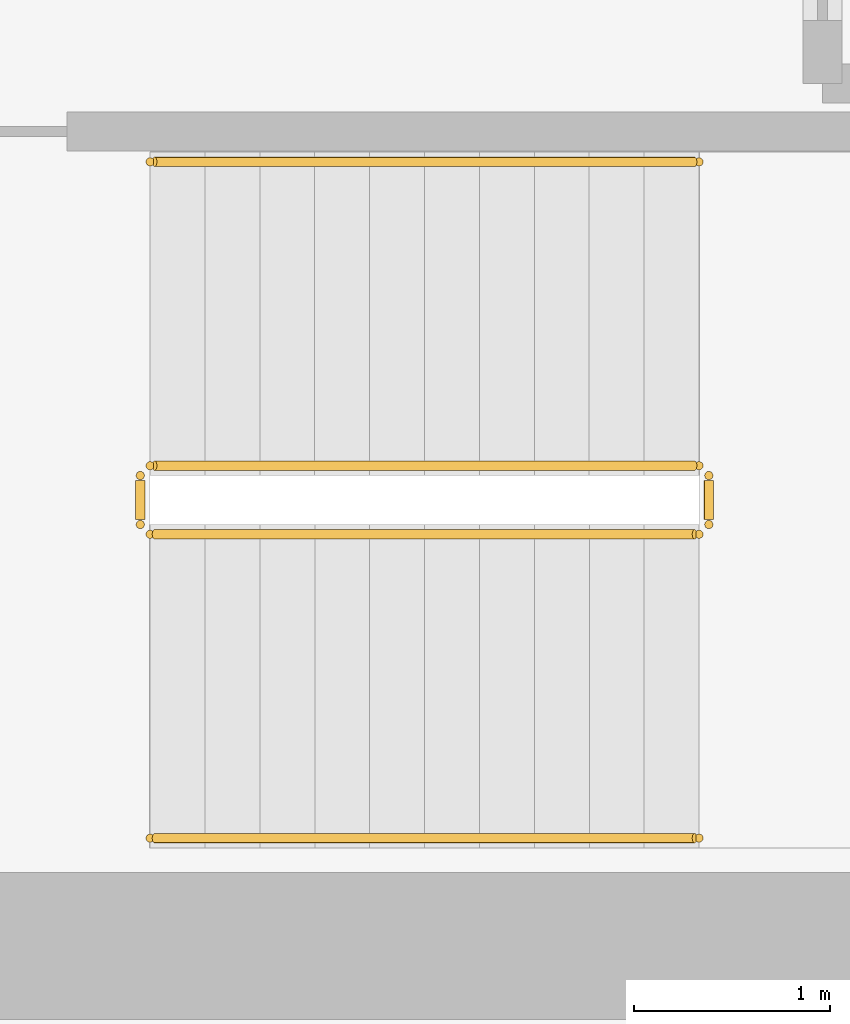
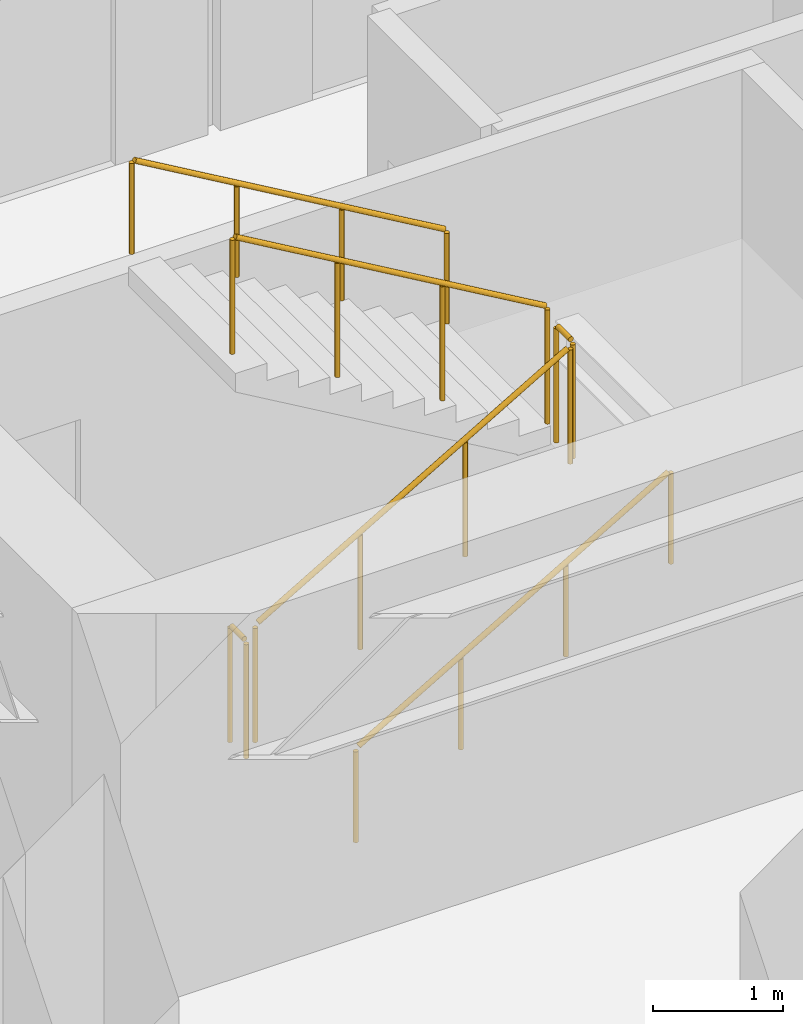
# One storey, part 12 of 13: 6 railings.
"""IFC4 building model written with IfcOpenShell, lengths in metres."""

from ifc_helpers import new_model, si_unit, direction, frame, origin, origin_2d, place, context, subcontext, project, spatial, circle, extrude, source, transform, mapped, material, layer, layer_set, type_object, element, save


model = new_model("IFC4")

# Units and contexts
model_context = context("Model", 3, precision=1e-05, world=origin(), true_north=direction((0.0, 1.0)))
body_context = subcontext(model_context, "Body", "Model", "MODEL_VIEW")
ifc_project = project(units=[si_unit("LENGTHUNIT", "METRE"), si_unit("AREAUNIT", "SQUARE_METRE"), si_unit("VOLUMEUNIT", "CUBIC_METRE"), si_unit("PLANEANGLEUNIT", "RADIAN"), si_unit("MASSUNIT", "GRAM", prefix="KILO")], contexts=[model_context])

# Site, building, storey
site_placement = place(None, origin())
site = spatial("IfcSite", under=ifc_project, at=site_placement, CompositionType="ELEMENT")
building_placement = place(site_placement, origin())
building = spatial("IfcBuilding", under=site, at=building_placement, Name="Kharzan Plaza Tower", CompositionType="ELEMENT")
storey_placement = place(building_placement, frame((0.0, 0.0, 77.39990234375)))
storey = spatial("IfcBuildingStorey", under=building, at=storey_placement, Name="L20", CompositionType="ELEMENT", Elevation=77.39990234375)

# Railings
ifc_material_1 = material(Name="Painted Galvanized Architectural Steel", Category="steel")
ifc_layer_1 = layer(ifc_material_1, 0.074951171875)
ifc_layer_set_1 = layer_set([ifc_layer_1], Name="Painted Galvanized Architectural Steel")
railing_type_1 = type_object("IfcRailingType", Name="RL-GUARD-1120", PredefinedType="BALUSTRADE", material=ifc_layer_set_1)
shared_shape_1 = source(origin(), body_context, "Body", "SweptSolid", [
    extrude(circle(Radius=0.02392578125, at=origin_2d()), frame((0.0, 0.0263671875, 1.09619140625), z_axis=(0.0, 1.0, 0.0), x_axis=(-1.0, 0.0, 0.0)), (0.0, 0.0, 1.0), 0.197021484375),
    extrude(circle(Radius=0.02099609375, at=origin_2d()), origin(), (0.0, 0.0, 1.0), 1.072021484375),
    extrude(circle(Radius=0.02099609375, at=origin_2d()), frame((0.0, 0.25, 0.0)), (0.0, 0.0, 1.0), 1.072021484375),
])
for number, where, name in (
    (1, (41.10009765625, 6.64990234375, 1.800048828125), "L20 ST-3 stair guard 2"),
    (2, (38.199951171875, 6.64990234375, 0.0), "L20 ST-3 stair guard 4"),
):
    element("IfcRailing", number, at=place(storey_placement, frame(where)), inside=storey, type_object=railing_type_1, Name=name, PredefinedType="BALUSTRADE", context=body_context, shape_type="MappedRepresentation", body=[
        mapped(shared_shape_1, transform((0.0, 0.0, 0.0), x_axis=(1.0, 0.0, 0.0), y_axis=(0.0, 1.0, 0.0), z_axis=(0.0, 0.0, 1.0))),
    ])
shared_shape_2 = source(origin(), body_context, "Body", "SweptSolid", [
    extrude(circle(Radius=0.02392578125, at=origin_2d()), frame((-0.02294921875, 0.0, 1.109375), z_axis=(-0.863360870873, 0.0, 0.504586966384), x_axis=(0.0, -1.0, 0.0)), (0.0, 0.0, 1.0), 3.190185546875),
    extrude(circle(Radius=0.02099609375, at=origin_2d()), origin(), (0.0, 0.0, 1.0), 1.072021484375),
    extrude(circle(Radius=0.02099609375, at=origin_2d()), frame((-0.933349609375, 0.0, 0.54541015625)), (0.0, 0.0, 1.0), 1.072021484375),
    extrude(circle(Radius=0.02099609375, at=origin_2d()), frame((-1.86669921875, 0.0, 1.091064453125)), (0.0, 0.0, 1.0), 1.072021484375),
    extrude(circle(Radius=0.02099609375, at=origin_2d()), frame((-2.800048828125, 0.0, 1.636474609375)), (0.0, 0.0, 1.0), 1.072021484375),
])
railing_1_placement = place(storey_placement, frame((41.050048828125, 6.949951171875, 1.963623046875)))
element("IfcRailing", 3, at=railing_1_placement, inside=storey, type_object=railing_type_1, Name="L20 ST-3 stair guard 3", PredefinedType="BALUSTRADE", context=body_context, shape_type="MappedRepresentation", body=[
    mapped(shared_shape_2, transform((0.0, 0.0, 0.0), x_axis=(1.0, 0.0, 0.0), y_axis=(0.0, 1.0, 0.0), z_axis=(0.0, 0.0, 1.0))),
])
ifc_material_2 = material(Name="Brushed Stainless Steel", Category="steel")
ifc_layer_2 = layer(ifc_material_2, 0.050048828125)
ifc_layer_set_2 = layer_set([ifc_layer_2], Name="Brushed Stainless Steel")
railing_type_2 = type_object("IfcRailingType", Name="RL-STAIR-HR920", PredefinedType="HANDRAIL", material=ifc_layer_set_2)
shared_shape_3 = source(origin(), body_context, "Body", "SweptSolid", [
    extrude(circle(Radius=0.02392578125, at=origin_2d()), frame((-0.02294921875, 0.0, 0.88916015625), z_axis=(-0.863360870873, 0.0, 0.504586966384), x_axis=(0.0, -1.0, 0.0)), (0.0, 0.0, 1.0), 3.190185546875),
    extrude(circle(Radius=0.02099609375, at=origin_2d()), origin(), (0.0, 0.0, 1.0), 0.851806640625),
    extrude(circle(Radius=0.02099609375, at=origin_2d()), frame((-0.933349609375, 0.0, 0.54541015625)), (0.0, 0.0, 1.0), 0.851806640625),
    extrude(circle(Radius=0.02099609375, at=origin_2d()), frame((-1.86669921875, 0.0, 1.091064453125)), (0.0, 0.0, 1.0), 0.851806640625),
    extrude(circle(Radius=0.02099609375, at=origin_2d()), frame((-2.800048828125, 0.0, 1.636474609375)), (0.0, 0.0, 1.0), 0.851806640625),
])
railing_2_placement = place(storey_placement, frame((41.050048828125, 8.5, 1.963623046875)))
element("IfcRailing", 4, at=railing_2_placement, inside=storey, type_object=railing_type_2, Name="L20 ST-3 stair handrail 2", PredefinedType="HANDRAIL", context=body_context, shape_type="MappedRepresentation", body=[
    mapped(shared_shape_3, transform((0.0, 0.0, 0.0), x_axis=(1.0, 0.0, 0.0), y_axis=(0.0, 1.0, 0.0), z_axis=(0.0, 0.0, 1.0))),
])
shared_shape_4 = source(origin(), body_context, "Body", "SweptSolid", [
    extrude(circle(Radius=0.02392578125, at=origin_2d()), frame((0.02294921875, 0.0, 1.109375), z_axis=(0.863393664356, 0.0, 0.504530851732), x_axis=(0.0, 1.0, 0.0)), (0.0, 0.0, 1.0), 3.190185546875),
    extrude(circle(Radius=0.02099609375, at=origin_2d()), origin(), (0.0, 0.0, 1.0), 1.072021484375),
    extrude(circle(Radius=0.02099609375, at=origin_2d()), frame((0.933349609375, 0.0, 0.54541015625)), (0.0, 0.0, 1.0), 1.072021484375),
    extrude(circle(Radius=0.02099609375, at=origin_2d()), frame((1.86669921875, 0.0, 1.0908203125)), (0.0, 0.0, 1.0), 1.072021484375),
    extrude(circle(Radius=0.02099609375, at=origin_2d()), frame((2.800048828125, 0.0, 1.63623046875)), (0.0, 0.0, 1.0), 1.072021484375),
])
railing_3_placement = place(storey_placement, frame((38.25, 6.60009765625, 0.163818359375)))
element("IfcRailing", 5, at=railing_3_placement, inside=storey, type_object=railing_type_1, Name="L20 ST-3 stair guard 1", PredefinedType="BALUSTRADE", context=body_context, shape_type="MappedRepresentation", body=[
    mapped(shared_shape_4, transform((0.0, 0.0, 0.0), x_axis=(1.0, 0.0, 0.0), y_axis=(0.0, 1.0, 0.0), z_axis=(0.0, 0.0, 1.0))),
])
shared_shape_5 = source(origin(), body_context, "Body", "SweptSolid", [
    extrude(circle(Radius=0.02392578125, at=origin_2d()), frame((0.02294921875, 0.0, 0.88916015625), z_axis=(0.863393664356, 0.0, 0.504530851732), x_axis=(0.0, 1.0, 0.0)), (0.0, 0.0, 1.0), 3.190185546875),
    extrude(circle(Radius=0.02099609375, at=origin_2d()), origin(), (0.0, 0.0, 1.0), 0.851806640625),
    extrude(circle(Radius=0.02099609375, at=origin_2d()), frame((0.933349609375, 0.0, 0.54541015625)), (0.0, 0.0, 1.0), 0.851806640625),
    extrude(circle(Radius=0.02099609375, at=origin_2d()), frame((1.86669921875, 0.0, 1.0908203125)), (0.0, 0.0, 1.0), 0.851806640625),
    extrude(circle(Radius=0.02099609375, at=origin_2d()), frame((2.800048828125, 0.0, 1.63623046875)), (0.0, 0.0, 1.0), 0.851806640625),
])
railing_4_placement = place(storey_placement, frame((38.25, 5.050048828125, 0.163818359375)))
element("IfcRailing", 6, at=railing_4_placement, inside=storey, type_object=railing_type_2, Name="L20 ST-3 stair handrail 1", PredefinedType="HANDRAIL", context=body_context, shape_type="MappedRepresentation", body=[
    mapped(shared_shape_5, transform((0.0, 0.0, 0.0), x_axis=(1.0, 0.0, 0.0), y_axis=(0.0, 1.0, 0.0), z_axis=(0.0, 0.0, 1.0))),
])

save(model, "model.ifc")
